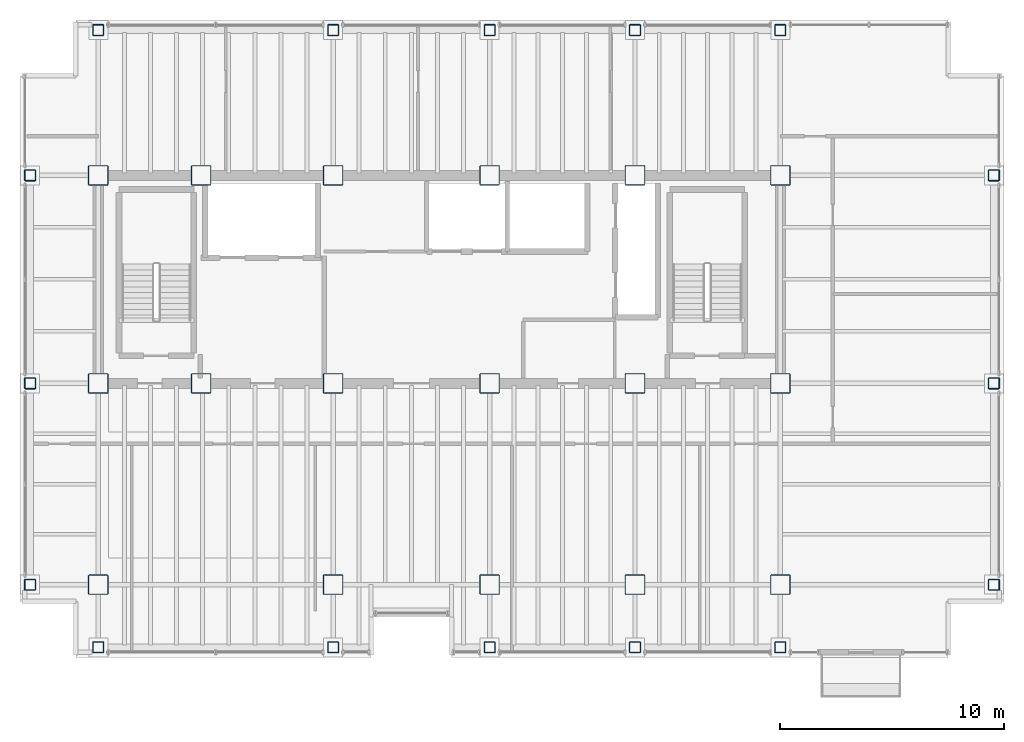
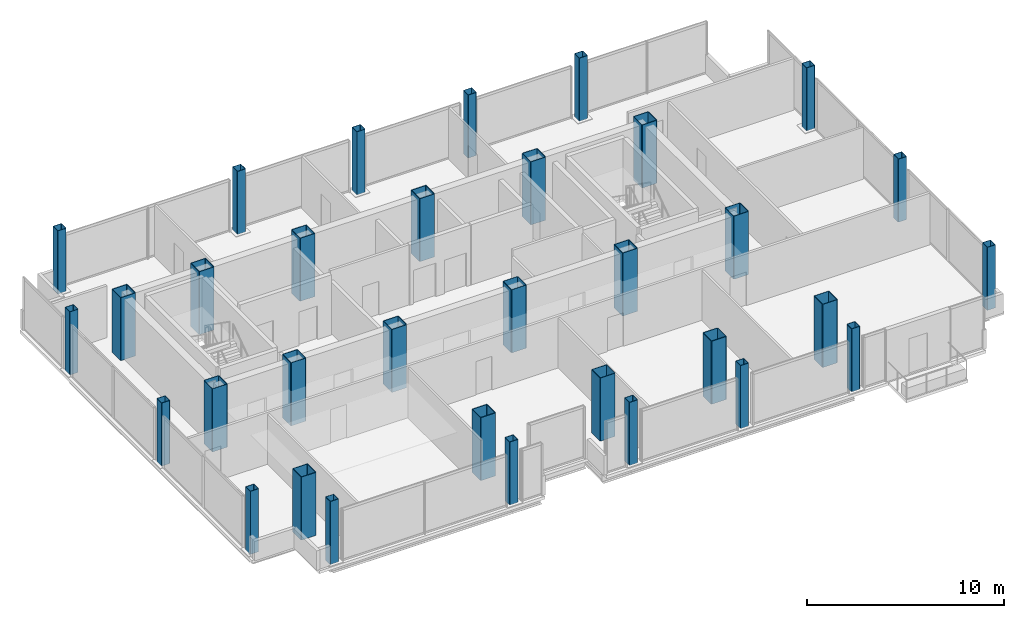
# One storey, part 1 of 16: 33 columns.
"""IFC4 building model written with IfcOpenShell, lengths in metres."""

from ifc_helpers import new_model, si_unit, direction, frame, origin, origin_2d, place, context, subcontext, project, spatial, hollow_rectangle, extrude, material, material_profile, profile_set, type_object, element, save


model = new_model("IFC4")

# Units and contexts
model_context = context("Model", 3, precision=1e-05, world=origin(), true_north=direction((0.0, 1.0)))
body_context = subcontext(model_context, "Body", "Model", "MODEL_VIEW")
ifc_project = project(units=[si_unit("LENGTHUNIT", "METRE"), si_unit("AREAUNIT", "SQUARE_METRE"), si_unit("VOLUMEUNIT", "CUBIC_METRE"), si_unit("PLANEANGLEUNIT", "RADIAN"), si_unit("MASSUNIT", "GRAM", prefix="KILO")], contexts=[model_context])

# Site, building, storey
site_placement = place(None, origin())
site = spatial("IfcSite", under=ifc_project, at=site_placement, CompositionType="ELEMENT")
building_placement = place(site_placement, origin())
building = spatial("IfcBuilding", under=site, at=building_placement, Name="Noeulbin Bourse Tower", CompositionType="ELEMENT")
storey_placement = place(building_placement, frame((0.0, 0.0, 185.10009765625)))
storey = spatial("IfcBuildingStorey", under=building, at=storey_placement, Name="L46", CompositionType="ELEMENT", Elevation=185.10009765625)

# Columns
ifc_material_1 = material(Name="Steel S355", Category="steel")
ifc_material_profile_1 = material_profile(ifc_material_1, hollow_rectangle(XDim=0.5, YDim=0.5, WallThickness=0.02392578125, InnerFilletRadius=0.011962890625, OuterFilletRadius=0.035888671875, at=origin_2d()), Name="BOX-500x500x24", Category="LoadBearing")
ifc_profile_set_1 = profile_set([ifc_material_profile_1], Name="Steel S355")
column_type_1 = type_object("IfcColumnType", Name="COL-PER-Z2", PredefinedType="COLUMN", material=ifc_profile_set_1)
for number, where, z_axis, x_axis, name in (
    (1, (10.449951171875, 20.0, 0.0), (0.0, 0.0, 1.0), (1.0, 0.0, 0.0), "Tower Perimeter Column COL-PER-Z2 01"),
    (2, (10.449951171875, 29.0, 0.0), (0.0, 0.0, 1.0), (1.0, 0.0, 0.0), "Tower Perimeter Column COL-PER-Z2 02"),
    (3, (10.449951171875, 38.300048828125, 0.0), (0.0, 0.0, 1.0), (1.0, 0.0, 0.0), "Tower Perimeter Column COL-PER-Z2 03"),
    (4, (13.5, 17.199951171875, 0.0), (0.0, 0.0, 1.0), (1.0, 0.0, 0.0), "Tower Perimeter Column COL-PER-Z2 04"),
    (5, (13.5, 44.800048828125, 0.0), (0.0, 0.0, 1.0), (1.0, 0.0, 0.0), "Tower Perimeter Column COL-PER-Z2 05"),
    (6, (24.0, 17.199951171875, 0.0), (0.0, 0.0, 1.0), (1.0, 0.0, 0.0), "Tower Perimeter Column COL-PER-Z2 06"),
    (7, (24.0, 44.800048828125, 0.0), (0.0, 0.0, 1.0), (1.0, 0.0, 0.0), "Tower Perimeter Column COL-PER-Z2 07"),
    (8, (31.0, 17.199951171875, 0.0), (0.0, 0.0, 1.0), (1.0, 0.0, 0.0), "Tower Perimeter Column COL-PER-Z2 08"),
    (9, (31.0, 44.800048828125, 0.0), (0.0, 0.0, 1.0), (1.0, 0.0, 0.0), "Tower Perimeter Column COL-PER-Z2 09"),
    (10, (37.5, 17.199951171875, 0.0), (0.0, 0.0, 1.0), (1.0, 0.0, 0.0), "Tower Perimeter Column COL-PER-Z2 10"),
    (11, (37.5, 44.800048828125, 0.0), (0.0, 0.0, 1.0), (1.0, 0.0, 0.0), "Tower Perimeter Column COL-PER-Z2 11"),
    (12, (44.0, 17.199951171875, 0.0), (0.0, 0.0, 1.0), (1.0, 0.0, 0.0), "Tower Perimeter Column COL-PER-Z2 12"),
    (13, (44.0, 44.800048828125, 0.0), (0.0, 0.0, 1.0), (1.0, 0.0, 0.0), "Tower Perimeter Column COL-PER-Z2 13"),
    (14, (53.550048828125, 20.0, 0.0), (0.0, 0.0, 1.0), (1.0, 0.0, 0.0), "Tower Perimeter Column COL-PER-Z2 14"),
    (15, (53.550048828125, 29.0, 0.0), (0.0, 0.0, 1.0), (1.0, 0.0, 0.0), "Tower Perimeter Column COL-PER-Z2 15"),
    (16, (53.550048828125, 38.300048828125, 0.0), (0.0, 0.0, 1.0), (1.0, 0.0, 0.0), "Tower Perimeter Column COL-PER-Z2 16"),
):
    element("IfcColumn", number, at=place(storey_placement, frame(where, z_axis=z_axis, x_axis=x_axis)), inside=storey, type_object=column_type_1, Name=name, PredefinedType="COLUMN", context=body_context, shape_type="SweptSolid", body=[
        extrude(hollow_rectangle(XDim=0.5, YDim=0.5, WallThickness=0.02392578125, InnerFilletRadius=0.011962890625, OuterFilletRadius=0.035888671875, at=origin_2d()), origin(), (0.0, 0.0, 1.0), 3.89990234375),
    ])
ifc_material_2 = material(Name="Steel S460", Category="steel")
ifc_material_profile_2 = material_profile(ifc_material_2, hollow_rectangle(XDim=0.89990234375, YDim=0.89990234375, WallThickness=0.034912109375, InnerFilletRadius=0.01708984375, OuterFilletRadius=0.052001953125, at=origin_2d()), Name="BOX-900x900x35", Category="LoadBearing")
ifc_profile_set_2 = profile_set([ifc_material_profile_2], Name="Steel S460")
column_type_2 = type_object("IfcColumnType", Name="COL-TRK-Z2", PredefinedType="COLUMN", material=ifc_profile_set_2)
for number, where, z_axis, x_axis, name in (
    (17, (13.5, 29.0, 0.0), (0.0, 0.0, 1.0), (1.0, 0.0, 0.0), "Tower Trunk Mega-Column COL-TRK-Z2 01"),
    (18, (13.5, 38.300048828125, 0.0), (0.0, 0.0, 1.0), (1.0, 0.0, 0.0), "Tower Trunk Mega-Column COL-TRK-Z2 02"),
    (19, (18.10009765625, 29.0, 0.0), (0.0, 0.0, 1.0), (1.0, 0.0, 0.0), "Tower Trunk Mega-Column COL-TRK-Z2 03"),
    (20, (18.10009765625, 38.300048828125, 0.0), (0.0, 0.0, 1.0), (1.0, 0.0, 0.0), "Tower Trunk Mega-Column COL-TRK-Z2 04"),
    (21, (24.0, 29.0, 0.0), (0.0, 0.0, 1.0), (1.0, 0.0, 0.0), "Tower Trunk Mega-Column COL-TRK-Z2 05"),
    (22, (24.0, 38.300048828125, 0.0), (0.0, 0.0, 1.0), (1.0, 0.0, 0.0), "Tower Trunk Mega-Column COL-TRK-Z2 06"),
    (23, (31.0, 29.0, 0.0), (0.0, 0.0, 1.0), (1.0, 0.0, 0.0), "Tower Trunk Mega-Column COL-TRK-Z2 07"),
    (24, (31.0, 38.300048828125, 0.0), (0.0, 0.0, 1.0), (1.0, 0.0, 0.0), "Tower Trunk Mega-Column COL-TRK-Z2 08"),
    (25, (37.5, 29.0, 0.0), (0.0, 0.0, 1.0), (1.0, 0.0, 0.0), "Tower Trunk Mega-Column COL-TRK-Z2 09"),
    (26, (37.5, 38.300048828125, 0.0), (0.0, 0.0, 1.0), (1.0, 0.0, 0.0), "Tower Trunk Mega-Column COL-TRK-Z2 10"),
    (27, (44.0, 29.0, 0.0), (0.0, 0.0, 1.0), (1.0, 0.0, 0.0), "Tower Trunk Mega-Column COL-TRK-Z2 11"),
    (28, (44.0, 38.300048828125, 0.0), (0.0, 0.0, 1.0), (1.0, 0.0, 0.0), "Tower Trunk Mega-Column COL-TRK-Z2 12"),
    (29, (13.5, 20.0, 0.0), (0.0, 0.0, 1.0), (1.0, 0.0, 0.0), "Tower Trunk Mega-Column COL-TRK-Z2 13"),
    (30, (24.0, 20.0, 0.0), (0.0, 0.0, 1.0), (1.0, 0.0, 0.0), "Tower Trunk Mega-Column COL-TRK-Z2 14"),
    (31, (31.0, 20.0, 0.0), (0.0, 0.0, 1.0), (1.0, 0.0, 0.0), "Tower Trunk Mega-Column COL-TRK-Z2 15"),
    (32, (37.5, 20.0, 0.0), (0.0, 0.0, 1.0), (1.0, 0.0, 0.0), "Tower Trunk Mega-Column COL-TRK-Z2 16"),
    (33, (44.0, 20.0, 0.0), (0.0, 0.0, 1.0), (1.0, 0.0, 0.0), "Tower Trunk Mega-Column COL-TRK-Z2 17"),
):
    element("IfcColumn", number, at=place(storey_placement, frame(where, z_axis=z_axis, x_axis=x_axis)), inside=storey, type_object=column_type_2, Name=name, PredefinedType="COLUMN", context=body_context, shape_type="SweptSolid", body=[
        extrude(hollow_rectangle(XDim=0.89990234375, YDim=0.89990234375, WallThickness=0.034912109375, InnerFilletRadius=0.01708984375, OuterFilletRadius=0.052001953125, at=origin_2d()), origin(), (0.0, 0.0, 1.0), 3.89990234375),
    ])

save(model, "model.ifc")
